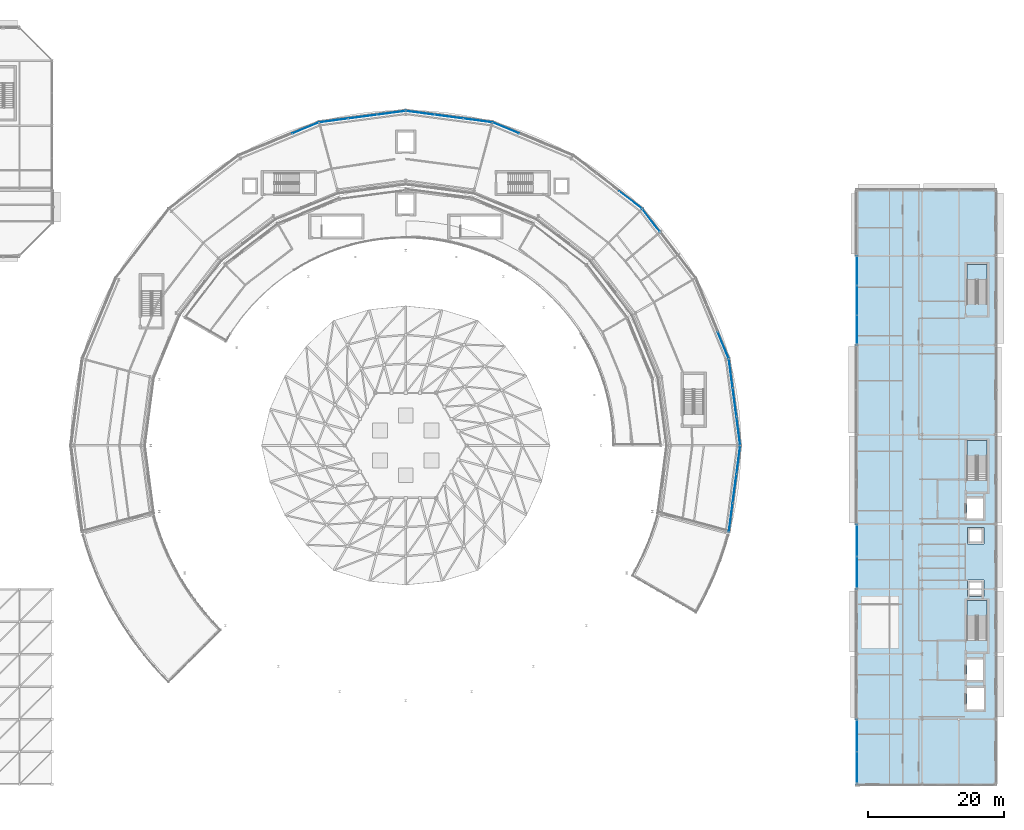
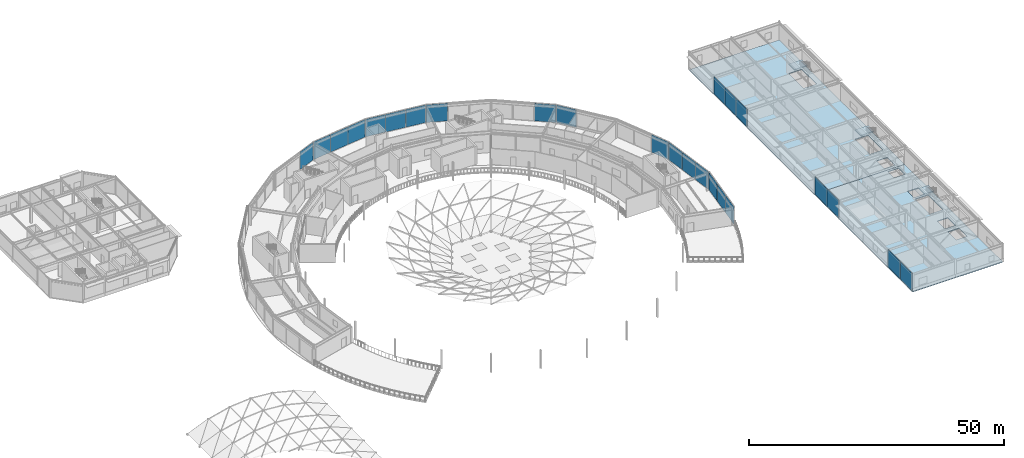
# One storey, part 78 of 116: 24 plates, 5 slabs, 15 elements without a shape of their own.
"""IFC4 building model written with IfcOpenShell, lengths in metres."""

from ifc_helpers import new_model, si_unit, direction, frame, origin, origin_2d, place, context, subcontext, project, spatial, polyline, rectangle, outline, extrude, material, layer, layer_set, type_object, element, aggregate, save


model = new_model("IFC4")

# Units and contexts
model_context = context("Model", 3, precision=1e-05, world=origin(), true_north=direction((0.0, 1.0)))
body_context = subcontext(model_context, "Body", "Model", "MODEL_VIEW")
ifc_project = project(units=[si_unit("LENGTHUNIT", "METRE"), si_unit("AREAUNIT", "SQUARE_METRE"), si_unit("VOLUMEUNIT", "CUBIC_METRE"), si_unit("PLANEANGLEUNIT", "RADIAN"), si_unit("MASSUNIT", "GRAM", prefix="KILO")], contexts=[model_context])

# Site, building, storey
site_placement = place(None, origin())
site = spatial("IfcSite", under=ifc_project, at=site_placement, CompositionType="ELEMENT")
building_placement = place(site_placement, origin())
building = spatial("IfcBuilding", under=site, at=building_placement, Name="Almandine Court Research Institute", CompositionType="ELEMENT")
storey_placement = place(building_placement, frame((0.0, 0.0, 14.35009765625)))
storey = spatial("IfcBuildingStorey", under=building, at=storey_placement, Name="L03", CompositionType="ELEMENT", Elevation=14.35009765625)

# Curtain wall, plate
ifc_material_1 = material(Name="Unitised Curtain Wall Framing and Solar Glazing", Category="glass")
curtain_wall_type_1 = type_object("IfcCurtainWallType", Name="CW-CWG-20", PredefinedType="USERDEFINED", material=ifc_material_1)
curtain_wall_1_placement = place(storey_placement, origin())
curtain_wall_1 = element("IfcCurtainWall", 1, at=curtain_wall_1_placement, inside=storey, type_object=curtain_wall_type_1, Name="L03 Stacked-Ring Drum Outer Unitised Glazing 04", ObjectType="UNITISED GLAZING", PredefinedType="USERDEFINED")
ifc_material_2 = material(Name="Double-Glazed Low-E Argon Insulated Glass", Category="glass")
ifc_layer_1 = layer(ifc_material_2, 0.028076171875)
ifc_layer_set_1 = layer_set([ifc_layer_1], Name="Double-Glazed Low-E Argon Insulated Glass")
plate_type_1 = type_object("IfcPlateType", Name="CWPnl-GLZ-28", PredefinedType="CURTAIN_PANEL", material=ifc_layer_set_1)
plate_1_placement = place(storey_placement, frame((101.77587890625, 102.849853515625, 0.059814453125), z_axis=(0.0, 0.0, 1.0), x_axis=(0.923888124321, -0.382662689242, 0.0)))
plate_1 = element("IfcPlate", 2, at=plate_1_placement, type_object=plate_type_1, Name="CWG-20 panel 1.1", PredefinedType="CURTAIN_PANEL", context=body_context, shape_type="SweptSolid", body=[
    extrude(rectangle(XDim=4.20263671875, YDim=0.028076171875, at=origin_2d()), origin(), (0.0, 0.0, 1.0), 4.25),
])
aggregate(curtain_wall_1, [plate_1])

# Curtain wall, plates
curtain_wall_2_placement = place(storey_placement, origin())
curtain_wall_2 = element("IfcCurtainWall", 3, at=curtain_wall_2_placement, inside=storey, type_object=curtain_wall_type_1, Name="L03 Stacked-Ring Drum Outer Unitised Glazing 05", ObjectType="UNITISED GLAZING", PredefinedType="USERDEFINED")
plate_2_placement = place(storey_placement, frame((89.146728515625, 105.077880859375, 0.059814453125), z_axis=(0.0, 0.0, 1.0), x_axis=(0.991442926098, -0.130540891259, 0.0)))
plate_2 = element("IfcPlate", 4, at=plate_2_placement, type_object=plate_type_1, Name="CWG-20 panel 1.1", PredefinedType="CURTAIN_PANEL", context=body_context, shape_type="SweptSolid", body=[
    extrude(rectangle(XDim=4.202392578125, YDim=0.028076171875, at=origin_2d()), origin(), (0.0, 0.0, 1.0), 4.25),
])
plate_3_placement = place(storey_placement, frame((93.387451171875, 104.51953125, 0.059814453125), z_axis=(0.0, 0.0, 1.0), x_axis=(0.991442926098, -0.130540891259, 0.0)))
plate_3 = element("IfcPlate", 5, at=plate_3_placement, type_object=plate_type_1, Name="CWG-20 panel 2.1", PredefinedType="CURTAIN_PANEL", context=body_context, shape_type="SweptSolid", body=[
    extrude(rectangle(XDim=4.232421875, YDim=0.028076171875, at=origin_2d()), origin(), (0.0, 0.0, 1.0), 4.25),
])
plate_4_placement = place(storey_placement, frame((97.628173828125, 103.961181640625, 0.059814453125), z_axis=(0.0, 0.0, 1.0), x_axis=(0.991442926098, -0.130540891259, 0.0)))
plate_4 = element("IfcPlate", 6, at=plate_4_placement, type_object=plate_type_1, Name="CWG-20 panel 3.1", PredefinedType="CURTAIN_PANEL", context=body_context, shape_type="SweptSolid", body=[
    extrude(rectangle(XDim=4.202392578125, YDim=0.028076171875, at=origin_2d()), origin(), (0.0, 0.0, 1.0), 4.25),
])
aggregate(curtain_wall_2, [plate_2, plate_3, plate_4])

curtain_wall_3_placement = place(storey_placement, origin())
curtain_wall_3 = element("IfcCurtainWall", 7, at=curtain_wall_3_placement, inside=storey, type_object=curtain_wall_type_1, Name="L03 Stacked-Ring Drum Outer Unitised Glazing 06", ObjectType="UNITISED GLAZING", PredefinedType="USERDEFINED")
plate_5_placement = place(storey_placement, frame((76.371826171875, 103.961181640625, 0.059814453125), z_axis=(0.0, 0.0, 1.0), x_axis=(0.991442926098, 0.130540891259, 0.0)))
plate_5 = element("IfcPlate", 8, at=plate_5_placement, type_object=plate_type_1, Name="CWG-20 panel 1.1", PredefinedType="CURTAIN_PANEL", context=body_context, shape_type="SweptSolid", body=[
    extrude(rectangle(XDim=4.202392578125, YDim=0.028076171875, at=origin_2d()), origin(), (0.0, 0.0, 1.0), 4.25),
])
plate_6_placement = place(storey_placement, frame((80.612548828125, 104.51953125, 0.059814453125), z_axis=(0.0, 0.0, 1.0), x_axis=(0.991442926098, 0.130540891259, 0.0)))
plate_6 = element("IfcPlate", 9, at=plate_6_placement, type_object=plate_type_1, Name="CWG-20 panel 2.1", PredefinedType="CURTAIN_PANEL", context=body_context, shape_type="SweptSolid", body=[
    extrude(rectangle(XDim=4.232421875, YDim=0.028076171875, at=origin_2d()), origin(), (0.0, 0.0, 1.0), 4.25),
])
plate_7_placement = place(storey_placement, frame((84.853271484375, 105.077880859375, 0.059814453125), z_axis=(0.0, 0.0, 1.0), x_axis=(0.991442926098, 0.130540891259, 0.0)))
plate_7 = element("IfcPlate", 10, at=plate_7_placement, type_object=plate_type_1, Name="CWG-20 panel 3.1", PredefinedType="CURTAIN_PANEL", context=body_context, shape_type="SweptSolid", body=[
    extrude(rectangle(XDim=4.202392578125, YDim=0.028076171875, at=origin_2d()), origin(), (0.0, 0.0, 1.0), 4.25),
])
aggregate(curtain_wall_3, [plate_5, plate_6, plate_7])

# Curtain wall, plate
curtain_wall_4_placement = place(storey_placement, origin())
curtain_wall_4 = element("IfcCurtainWall", 11, at=curtain_wall_4_placement, inside=storey, type_object=curtain_wall_type_1, Name="L03 Stacked-Ring Drum Outer Unitised Glazing 07", ObjectType="UNITISED GLAZING", PredefinedType="USERDEFINED")
plate_8_placement = place(storey_placement, frame((72.22412109375, 102.849853515625, 0.059814453125), z_axis=(0.0, 0.0, 1.0), x_axis=(0.923888124321, 0.382662689242, 0.0)))
plate_8 = element("IfcPlate", 12, at=plate_8_placement, type_object=plate_type_1, Name="CWG-20 panel 3.1", PredefinedType="CURTAIN_PANEL", context=body_context, shape_type="SweptSolid", body=[
    extrude(rectangle(XDim=4.20263671875, YDim=0.028076171875, at=origin_2d()), origin(), (0.0, 0.0, 1.0), 4.25),
])
aggregate(curtain_wall_4, [plate_8])

# Curtain wall, plates
curtain_wall_type_2 = type_object("IfcCurtainWallType", Name="CW-CWJ-02", PredefinedType="USERDEFINED", material=ifc_material_1)
curtain_wall_5_placement = place(storey_placement, origin())
curtain_wall_5 = element("IfcCurtainWall", 13, at=curtain_wall_5_placement, inside=storey, type_object=curtain_wall_type_2, Name="L03 Wet Lab West Courtyard Jali Curtain Wall 1", ObjectType="SOLAR JALI SCREEN", PredefinedType="USERDEFINED")
ifc_material_3 = material(Name="Perforated Ochre Terracotta Jali Solar Cassette", Category="masonry")
ifc_layer_2 = layer(ifc_material_3, 0.035888671875)
ifc_layer_set_2 = layer_set([ifc_layer_2], Name="Perforated Ochre Terracotta Jali Solar Cassette")
plate_type_2 = type_object("IfcPlateType", Name="CWPnl-JALI-36", PredefinedType="CURTAIN_PANEL", material=ifc_layer_set_2)
plate_9_placement = place(storey_placement, frame((153.60009765625, 8.418212890625, 0.06494140625), z_axis=(0.0, 0.0, 1.0), x_axis=(0.0, 1.0, 0.0)))
plate_9 = element("IfcPlate", 14, at=plate_9_placement, type_object=plate_type_2, Name="CWJ-02 panel 1.1", PredefinedType="CURTAIN_PANEL", context=body_context, shape_type="SweptSolid", body=[
    extrude(rectangle(XDim=4.698486328125, YDim=0.035888671875, at=origin_2d()), origin(), (0.0, 0.0, 1.0), 4.239990234375),
])
plate_10_placement = place(storey_placement, frame((153.60009765625, 13.181640625, 0.06494140625), z_axis=(0.0, 0.0, 1.0), x_axis=(0.0, 1.0, 0.0)))
plate_10 = element("IfcPlate", 15, at=plate_10_placement, type_object=plate_type_2, Name="CWJ-02 panel 2.1", PredefinedType="CURTAIN_PANEL", context=body_context, shape_type="SweptSolid", body=[
    extrude(rectangle(XDim=4.698486328125, YDim=0.035888671875, at=origin_2d()), origin(), (0.0, 0.0, 1.0), 4.239990234375),
])
aggregate(curtain_wall_5, [plate_9, plate_10])

curtain_wall_6_placement = place(storey_placement, origin())
curtain_wall_6 = element("IfcCurtainWall", 16, at=curtain_wall_6_placement, inside=storey, type_object=curtain_wall_type_2, Name="L03 Wet Lab West Courtyard Jali Curtain Wall 4", ObjectType="SOLAR JALI SCREEN", PredefinedType="USERDEFINED")
plate_11_placement = place(storey_placement, frame((153.60009765625, 37.21826171875, 0.06494140625), z_axis=(0.0, 0.0, 1.0), x_axis=(0.0, 1.0, 0.0)))
plate_11 = element("IfcPlate", 17, at=plate_11_placement, type_object=plate_type_2, Name="CWJ-02 panel 1.1", PredefinedType="CURTAIN_PANEL", context=body_context, shape_type="SweptSolid", body=[
    extrude(rectangle(XDim=4.698486328125, YDim=0.035888671875, at=origin_2d()), origin(), (0.0, 0.0, 1.0), 4.239990234375),
])
plate_12_placement = place(storey_placement, frame((153.60009765625, 41.981689453125, 0.06494140625), z_axis=(0.0, 0.0, 1.0), x_axis=(0.0, 1.0, 0.0)))
plate_12 = element("IfcPlate", 18, at=plate_12_placement, type_object=plate_type_2, Name="CWJ-02 panel 2.1", PredefinedType="CURTAIN_PANEL", context=body_context, shape_type="SweptSolid", body=[
    extrude(rectangle(XDim=4.698486328125, YDim=0.035888671875, at=origin_2d()), origin(), (0.0, 0.0, 1.0), 4.239990234375),
])
aggregate(curtain_wall_6, [plate_11, plate_12])

curtain_wall_type_3 = type_object("IfcCurtainWallType", Name="CW-CWJ-15", PredefinedType="USERDEFINED", material=ifc_material_1)
curtain_wall_7_placement = place(storey_placement, origin())
curtain_wall_7 = element("IfcCurtainWall", 19, at=curtain_wall_7_placement, inside=storey, type_object=curtain_wall_type_3, Name="L03 Wet Lab West Courtyard Jali Curtain Wall 7", ObjectType="SOLAR JALI SCREEN", PredefinedType="USERDEFINED")
plate_13_placement = place(storey_placement, frame((153.60009765625, 73.018798828125, 0.06494140625), z_axis=(0.0, 0.0, 1.0), x_axis=(0.0, 1.0, 0.0)))
plate_13 = element("IfcPlate", 20, at=plate_13_placement, type_object=plate_type_2, Name="CWJ-15 panel 1.1", PredefinedType="CURTAIN_PANEL", context=body_context, shape_type="SweptSolid", body=[
    extrude(rectangle(XDim=4.2998046875, YDim=0.035888671875, at=origin_2d()), origin(), (0.0, 0.0, 1.0), 4.239990234375),
])
plate_14_placement = place(storey_placement, frame((153.60009765625, 77.39990234375, 0.06494140625), z_axis=(0.0, 0.0, 1.0), x_axis=(0.0, 1.0, 0.0)))
plate_14 = element("IfcPlate", 21, at=plate_14_placement, type_object=plate_type_2, Name="CWJ-15 panel 2.1", PredefinedType="CURTAIN_PANEL", context=body_context, shape_type="SweptSolid", body=[
    extrude(rectangle(XDim=4.332275390625, YDim=0.035888671875, at=origin_2d()), origin(), (0.0, 0.0, 1.0), 4.239990234375),
])
plate_15_placement = place(storey_placement, frame((153.60009765625, 81.781005859375, 0.06494140625), z_axis=(0.0, 0.0, 1.0), x_axis=(0.0, 1.0, 0.0)))
plate_15 = element("IfcPlate", 22, at=plate_15_placement, type_object=plate_type_2, Name="CWJ-15 panel 3.1", PredefinedType="CURTAIN_PANEL", context=body_context, shape_type="SweptSolid", body=[
    extrude(rectangle(XDim=4.2998046875, YDim=0.035888671875, at=origin_2d()), origin(), (0.0, 0.0, 1.0), 4.239990234375),
])
aggregate(curtain_wall_7, [plate_13, plate_14, plate_15])

curtain_wall_type_4 = type_object("IfcCurtainWallType", Name="CW-CWJ-19", PredefinedType="USERDEFINED", material=ifc_material_1)
curtain_wall_8_placement = place(storey_placement, origin())
curtain_wall_8 = element("IfcCurtainWall", 23, at=curtain_wall_8_placement, inside=storey, type_object=curtain_wall_type_4, Name="L03 Stacked-Ring Drum Outer Solar Jali Screen 23", ObjectType="SOLAR JALI SCREEN", PredefinedType="USERDEFINED")
plate_16_placement = place(storey_placement, frame((136.07763671875, 53.85205078125, 0.06494140625), z_axis=(0.0, 0.0, 1.0), x_axis=(-0.130540891259, -0.991442926098, 0.0)))
plate_16 = element("IfcPlate", 24, at=plate_16_placement, type_object=plate_type_2, Name="CWJ-19 panel 1.1", PredefinedType="CURTAIN_PANEL", context=body_context, shape_type="SweptSolid", body=[
    extrude(rectangle(XDim=4.19482421875, YDim=0.035888671875, at=origin_2d()), origin(), (0.0, 0.0, 1.0), 4.239990234375),
])
plate_17_placement = place(storey_placement, frame((135.51953125, 49.612548828125, 0.06494140625), z_axis=(0.0, 0.0, 1.0), x_axis=(-0.130540891259, -0.991442926098, 0.0)))
plate_17 = element("IfcPlate", 25, at=plate_17_placement, type_object=plate_type_2, Name="CWJ-19 panel 2.1", PredefinedType="CURTAIN_PANEL", context=body_context, shape_type="SweptSolid", body=[
    extrude(rectangle(XDim=4.227294921875, YDim=0.035888671875, at=origin_2d()), origin(), (0.0, 0.0, 1.0), 4.239990234375),
])
plate_18_placement = place(storey_placement, frame((134.961181640625, 45.373046875, 0.06494140625), z_axis=(0.0, 0.0, 1.0), x_axis=(-0.130540891259, -0.991442926098, 0.0)))
plate_18 = element("IfcPlate", 26, at=plate_18_placement, type_object=plate_type_2, Name="CWJ-19 panel 3.1", PredefinedType="CURTAIN_PANEL", context=body_context, shape_type="SweptSolid", body=[
    extrude(rectangle(XDim=4.19482421875, YDim=0.035888671875, at=origin_2d()), origin(), (0.0, 0.0, 1.0), 4.239990234375),
])
aggregate(curtain_wall_8, [plate_16, plate_17, plate_18])

curtain_wall_9_placement = place(storey_placement, origin())
curtain_wall_9 = element("IfcCurtainWall", 27, at=curtain_wall_9_placement, inside=storey, type_object=curtain_wall_type_4, Name="L03 Stacked-Ring Drum Outer Solar Jali Screen 00", ObjectType="SOLAR JALI SCREEN", PredefinedType="USERDEFINED")
plate_19_placement = place(storey_placement, frame((134.961181640625, 66.626953125, 0.06494140625), z_axis=(0.0, 0.0, 1.0), x_axis=(0.130540891259, -0.991442926098, 0.0)))
plate_19 = element("IfcPlate", 28, at=plate_19_placement, type_object=plate_type_2, Name="CWJ-19 panel 1.1", PredefinedType="CURTAIN_PANEL", context=body_context, shape_type="SweptSolid", body=[
    extrude(rectangle(XDim=4.19482421875, YDim=0.035888671875, at=origin_2d()), origin(), (0.0, 0.0, 1.0), 4.239990234375),
])
plate_20_placement = place(storey_placement, frame((135.51953125, 62.387451171875, 0.06494140625), z_axis=(0.0, 0.0, 1.0), x_axis=(0.130540891259, -0.991442926098, 0.0)))
plate_20 = element("IfcPlate", 29, at=plate_20_placement, type_object=plate_type_2, Name="CWJ-19 panel 2.1", PredefinedType="CURTAIN_PANEL", context=body_context, shape_type="SweptSolid", body=[
    extrude(rectangle(XDim=4.227294921875, YDim=0.035888671875, at=origin_2d()), origin(), (0.0, 0.0, 1.0), 4.239990234375),
])
plate_21_placement = place(storey_placement, frame((136.07763671875, 58.14794921875, 0.06494140625), z_axis=(0.0, 0.0, 1.0), x_axis=(0.130540891259, -0.991442926098, 0.0)))
plate_21 = element("IfcPlate", 30, at=plate_21_placement, type_object=plate_type_2, Name="CWJ-19 panel 3.1", PredefinedType="CURTAIN_PANEL", context=body_context, shape_type="SweptSolid", body=[
    extrude(rectangle(XDim=4.19482421875, YDim=0.035888671875, at=origin_2d()), origin(), (0.0, 0.0, 1.0), 4.239990234375),
])
aggregate(curtain_wall_9, [plate_19, plate_20, plate_21])

# Curtain wall, plate
curtain_wall_10_placement = place(storey_placement, origin())
curtain_wall_10 = element("IfcCurtainWall", 31, at=curtain_wall_10_placement, inside=storey, type_object=curtain_wall_type_4, Name="L03 Stacked-Ring Drum Outer Solar Jali Screen 01", ObjectType="SOLAR JALI SCREEN", PredefinedType="USERDEFINED")
plate_22_placement = place(storey_placement, frame((133.849365234375, 70.777099609375, 0.06494140625), z_axis=(0.0, 0.0, 1.0), x_axis=(0.382662689242, -0.923888124321, 0.0)))
plate_22 = element("IfcPlate", 32, at=plate_22_placement, type_object=plate_type_2, Name="CWJ-19 panel 3.1", PredefinedType="CURTAIN_PANEL", context=body_context, shape_type="SweptSolid", body=[
    extrude(rectangle(XDim=4.1953125, YDim=0.035888671875, at=origin_2d()), origin(), (0.0, 0.0, 1.0), 4.239990234375),
])
aggregate(curtain_wall_10, [plate_22])

curtain_wall_11_placement = place(storey_placement, origin())
curtain_wall_11 = element("IfcCurtainWall", 33, at=curtain_wall_11_placement, inside=storey, type_object=curtain_wall_type_4, Name="L03 Stacked-Ring Drum Outer Solar Jali Screen 02", ObjectType="SOLAR JALI SCREEN", PredefinedType="USERDEFINED")
plate_23_placement = place(storey_placement, frame((123.222412109375, 89.184326171875, 0.06494140625), z_axis=(0.0, 0.0, 1.0), x_axis=(0.608723313303, -0.793382586046, 0.0)))
plate_23 = element("IfcPlate", 34, at=plate_23_placement, type_object=plate_type_2, Name="CWJ-19 panel 1.1", PredefinedType="CURTAIN_PANEL", context=body_context, shape_type="SweptSolid", body=[
    extrude(rectangle(XDim=4.195068359375, YDim=0.035888671875, at=origin_2d()), origin(), (0.0, 0.0, 1.0), 4.239990234375),
])
aggregate(curtain_wall_11, [plate_23])

curtain_wall_12_placement = place(storey_placement, origin())
curtain_wall_12 = element("IfcCurtainWall", 35, at=curtain_wall_12_placement, inside=storey, type_object=curtain_wall_type_4, Name="L03 Stacked-Ring Drum Outer Solar Jali Screen 03", ObjectType="SOLAR JALI SCREEN", PredefinedType="USERDEFINED")
plate_24_placement = place(storey_placement, frame((120.184326171875, 92.222412109375, 0.06494140625), z_axis=(0.0, 0.0, 1.0), x_axis=(0.793382586046, -0.608723313303, 0.0)))
plate_24 = element("IfcPlate", 36, at=plate_24_placement, type_object=plate_type_2, Name="CWJ-19 panel 3.1", PredefinedType="CURTAIN_PANEL", context=body_context, shape_type="SweptSolid", body=[
    extrude(rectangle(XDim=4.195068359375, YDim=0.035888671875, at=origin_2d()), origin(), (0.0, 0.0, 1.0), 4.239990234375),
])
aggregate(curtain_wall_12, [plate_24])

# Slabs
ifc_material_4 = material(Name="Concrete C35/45", Category="concrete")
ifc_layer_3 = layer(ifc_material_4, 0.179931640625)
ifc_layer_set_3 = layer_set([ifc_layer_3], Name="Concrete C35/45")
slab_type_1 = type_object("IfcSlabType", Name="Slab-FLR-180", PredefinedType="FLOOR", material=ifc_layer_set_3)
slab_1_placement = place(storey_placement, frame((0.0, 0.0, -0.18017578125)))
element("IfcSlab", 37, at=slab_1_placement, inside=storey, type_object=slab_type_1, Name="L03 Volume 4 Wet Laboratory S Floor Slab", PredefinedType="FLOOR", context=body_context, shape_type="SweptSolid", body=[
    extrude(outline(polyline([(153.60009765625, 6.0), (174.0, 6.0), (174.0, 44.39990234375), (153.60009765625, 44.39990234375), (153.60009765625, 6.0)]), holes=[polyline([(172.800048828125, 27.25), (172.800048828125, 33.10009765625), (169.800048828125, 33.10009765625), (169.800048828125, 27.25), (172.800048828125, 27.25)]), polyline([(169.800048828125, 21.39990234375), (172.199951171875, 21.39990234375), (172.199951171875, 24.39990234375), (169.800048828125, 24.39990234375), (169.800048828125, 21.39990234375)]), polyline([(169.800048828125, 17.0), (172.300048828125, 17.0), (172.300048828125, 20.199951171875), (169.800048828125, 20.199951171875), (169.800048828125, 17.0)]), polyline([(169.8798828125, 33.679931640625), (172.320068359375, 33.679931640625), (172.320068359375, 36.1201171875), (169.8798828125, 36.1201171875), (169.8798828125, 33.679931640625)]), polyline([(169.8798828125, 41.47998046875), (172.320068359375, 41.47998046875), (172.320068359375, 43.919921875), (169.8798828125, 43.919921875), (169.8798828125, 41.47998046875)])]), origin(), (0.0, 0.0, 1.0), 0.18017578125),
])
slab_2_placement = place(storey_placement, frame((0.0, 0.0, -0.18017578125)))
element("IfcSlab", 38, at=slab_2_placement, inside=storey, type_object=slab_type_1, Name="L03 Volume 4 Wet Laboratory N Floor Slab", PredefinedType="FLOOR", context=body_context, shape_type="SweptSolid", body=[
    extrude(outline(polyline([(153.60009765625, 44.39990234375), (174.0, 44.39990234375), (174.0, 93.60009765625), (153.60009765625, 93.60009765625), (153.60009765625, 44.39990234375)]), holes=[polyline([(172.800048828125, 50.85009765625), (172.800048828125, 56.699951171875), (169.800048828125, 56.699951171875), (169.800048828125, 50.85009765625), (172.800048828125, 50.85009765625)]), polyline([(172.800048828125, 76.85009765625), (172.800048828125, 82.699951171875), (169.800048828125, 82.699951171875), (169.800048828125, 76.85009765625), (172.800048828125, 76.85009765625)]), polyline([(169.800048828125, 45.199951171875), (172.199951171875, 45.199951171875), (172.199951171875, 48.199951171875), (169.800048828125, 48.199951171875), (169.800048828125, 45.199951171875)])]), origin(), (0.0, 0.0, 1.0), 0.18017578125),
])

# Stair, slab
stair_type = type_object("IfcStairType", Name="Stair-Core-26R", PredefinedType="HALF_TURN_STAIR", material=ifc_material_4)
stair_1_placement = place(storey_placement, origin())
stair_1 = element("IfcStair", 39, at=stair_1_placement, inside=storey, type_object=stair_type, Name="L03 Wet Lab South High-Rise Core Stair", PredefinedType="HALF_TURN_STAIR")
ifc_layer_4 = layer(ifc_material_4, 0.179931640625)
ifc_layer_set_4 = layer_set([ifc_layer_4], Name="Concrete C35/45")
slab_type_2 = type_object("IfcSlabType", Name="Slab-Landing-180", PredefinedType="LANDING", material=ifc_layer_set_4)
slab_3_placement = place(storey_placement, frame((0.0, 0.0, 2.094970703125)))
slab_3 = element("IfcSlab", 40, at=slab_3_placement, type_object=slab_type_2, Name="ST-07 landing 1", PredefinedType="LANDING", context=body_context, shape_type="SweptSolid", body=[
    extrude(outline(polyline([(172.800048828125, 30.85009765625), (172.800048828125, 33.10009765625), (169.800048828125, 33.10009765625), (169.800048828125, 30.85009765625), (172.800048828125, 30.85009765625)])), origin(), (0.0, 0.0, 1.0), 0.179931640625),
])
aggregate(stair_1, [slab_3])

stair_2_placement = place(storey_placement, origin())
stair_2 = element("IfcStair", 41, at=stair_2_placement, inside=storey, type_object=stair_type, Name="L03 Wet Lab Central High-Rise Core Stair", PredefinedType="HALF_TURN_STAIR")
slab_4_placement = place(storey_placement, frame((0.0, 0.0, 2.094970703125)))
slab_4 = element("IfcSlab", 42, at=slab_4_placement, type_object=slab_type_2, Name="ST-08 landing 1", PredefinedType="LANDING", context=body_context, shape_type="SweptSolid", body=[
    extrude(outline(polyline([(172.800048828125, 54.449951171875), (172.800048828125, 56.699951171875), (169.800048828125, 56.699951171875), (169.800048828125, 54.449951171875), (172.800048828125, 54.449951171875)])), origin(), (0.0, 0.0, 1.0), 0.179931640625),
])
aggregate(stair_2, [slab_4])

stair_3_placement = place(storey_placement, origin())
stair_3 = element("IfcStair", 43, at=stair_3_placement, inside=storey, type_object=stair_type, Name="L03 Wet Lab North Exit Stair", PredefinedType="HALF_TURN_STAIR")
slab_5_placement = place(storey_placement, frame((0.0, 0.0, 2.094970703125)))
slab_5 = element("IfcSlab", 44, at=slab_5_placement, type_object=slab_type_2, Name="ST-13 landing 1", PredefinedType="LANDING", context=body_context, shape_type="SweptSolid", body=[
    extrude(outline(polyline([(172.800048828125, 80.449951171875), (172.800048828125, 82.699951171875), (169.800048828125, 82.699951171875), (169.800048828125, 80.449951171875), (172.800048828125, 80.449951171875)])), origin(), (0.0, 0.0, 1.0), 0.179931640625),
])
aggregate(stair_3, [slab_5])

save(model, "model.ifc")
